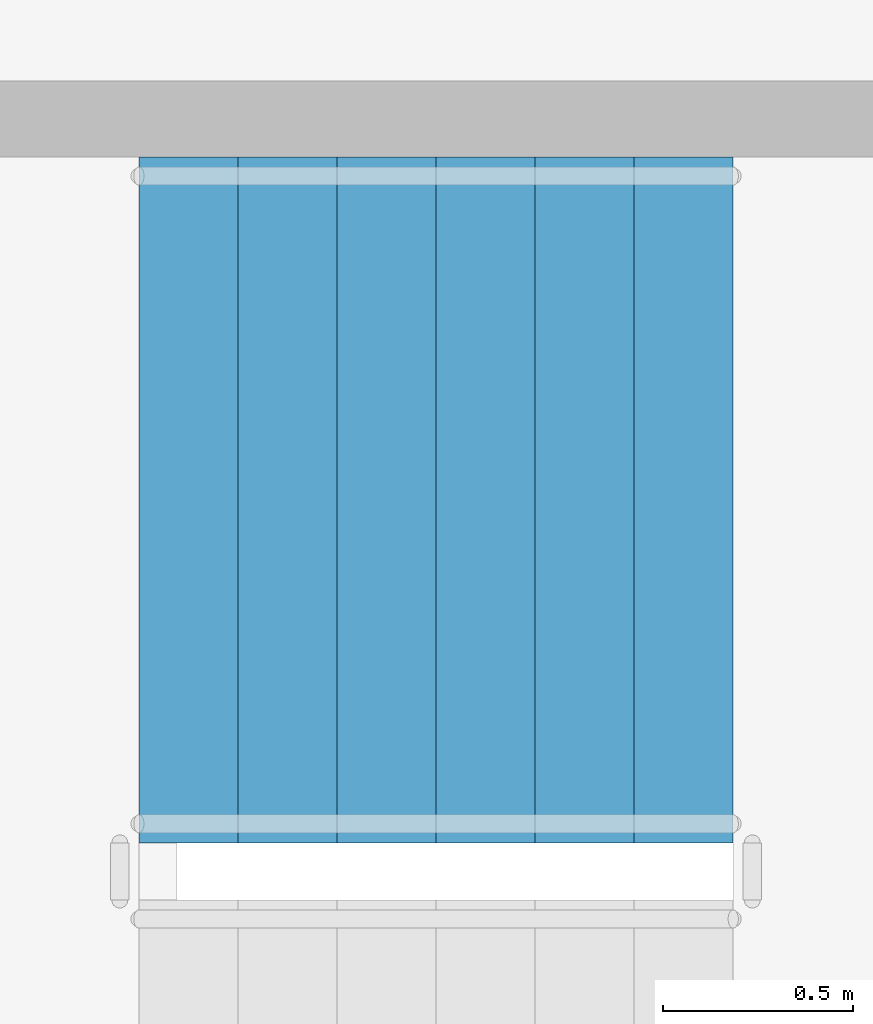
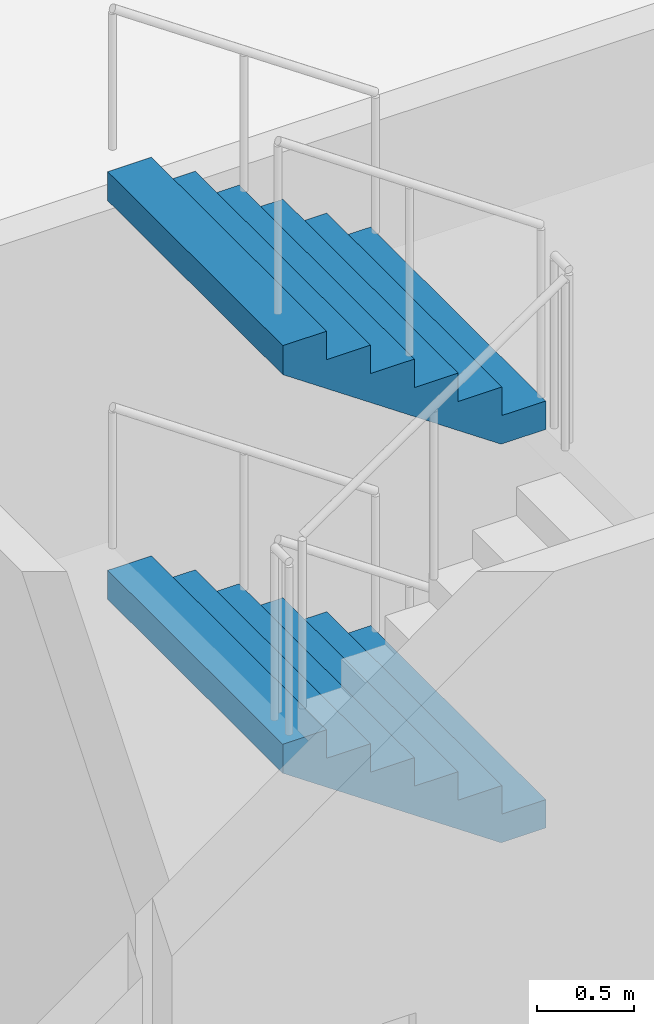
# One storey, part 35 of 59: 2 stair flights, 1 element without a shape of its own.
"""IFC4 building model written with IfcOpenShell, lengths in metres."""

from ifc_helpers import new_model, si_unit, direction, frame, origin, place, context, subcontext, project, spatial, faceted_brep, material, type_object, element, aggregate, save


model = new_model("IFC4")

# Units and contexts
model_context = context("Model", 3, precision=1e-05, world=origin(), true_north=direction((0.0, 1.0)))
body_context = subcontext(model_context, "Body", "Model", "MODEL_VIEW")
ifc_project = project(units=[si_unit("LENGTHUNIT", "METRE"), si_unit("AREAUNIT", "SQUARE_METRE"), si_unit("VOLUMEUNIT", "CUBIC_METRE"), si_unit("PLANEANGLEUNIT", "RADIAN"), si_unit("MASSUNIT", "GRAM", prefix="KILO")], contexts=[model_context])

# Site, building, storey
site_placement = place(None, origin())
site = spatial("IfcSite", under=ifc_project, at=site_placement, CompositionType="ELEMENT")
building_placement = place(site_placement, origin())
building = spatial("IfcBuilding", under=site, at=building_placement, Name="Ipe Terrace Towers", CompositionType="ELEMENT")
storey_placement = place(building_placement, frame((0.0, 0.0, 6.0)))
storey = spatial("IfcBuildingStorey", under=building, at=storey_placement, Name="L01", CompositionType="ELEMENT", Elevation=6.0)

# Stair, stair flights
ifc_material_1 = material(Name="Concrete C30/37", Category="concrete")
stair_type = type_object("IfcStairType", Name="Protected exit stair", PredefinedType="HALF_TURN_STAIR", material=ifc_material_1)
stair_placement = place(storey_placement, origin())
stair = element("IfcStair", 1, at=stair_placement, inside=storey, type_object=stair_type, Name="L01 Podium exit stair PS5", PredefinedType="HALF_TURN_STAIR")
ifc_material_2 = material(Name="Concrete C30/37", Category="concrete")
stair_flight_type = type_object("IfcStairFlightType", Name="Exit stair flight 1800", PredefinedType="STRAIGHT", material=ifc_material_2)
stair_flight_1_placement = place(storey_placement, frame((-2.18994140625, -20.550048828125, 1.25), z_axis=(0.0, 0.0, 1.0), x_axis=(-1.0, 0.0, 0.0)))
stair_flight_1 = element("IfcStairFlight", 2, at=stair_flight_1_placement, type_object=stair_flight_type, Name="PS5 flight 2", NumberOfRisers=7, NumberOfTreads=6, PredefinedType="STRAIGHT", RiserHeight=0.178571429, TreadLength=0.26, context=body_context, shape_type="Brep", body=[
    faceted_brep([(0.264892578125, -0.89990234375, 0.0), (1.56005859375, -0.89990234375, 0.8896484375), (1.56005859375, -0.89990234375, 1.071533203125), (1.300048828125, -0.89990234375, 1.071533203125), (1.300048828125, -0.89990234375, 0.892822265625), (1.0400390625, -0.89990234375, 0.892822265625), (1.0400390625, -0.89990234375, 0.71435546875), (0.780029296875, -0.89990234375, 0.71435546875), (0.780029296875, -0.89990234375, 0.53564453125), (0.52001953125, -0.89990234375, 0.53564453125), (0.52001953125, -0.89990234375, 0.357177734375), (0.260009765625, -0.89990234375, 0.357177734375), (0.260009765625, -0.89990234375, 0.178466796875), (0.0, -0.89990234375, 0.178466796875), (0.0, -0.89990234375, 0.0), (0.0, 0.89990234375, 0.0), (0.0, 0.89990234375, 0.178466796875), (0.260009765625, 0.89990234375, 0.178466796875), (0.260009765625, 0.89990234375, 0.357177734375), (0.52001953125, 0.89990234375, 0.357177734375), (0.52001953125, 0.89990234375, 0.53564453125), (0.780029296875, 0.89990234375, 0.53564453125), (0.780029296875, 0.89990234375, 0.71435546875), (1.0400390625, 0.89990234375, 0.71435546875), (1.0400390625, 0.89990234375, 0.892822265625), (1.300048828125, 0.89990234375, 0.892822265625), (1.300048828125, 0.89990234375, 1.071533203125), (1.56005859375, 0.89990234375, 1.071533203125), (1.56005859375, 0.89990234375, 0.8896484375), (0.264892578125, 0.89990234375, 0.0), (0.0, -0.300048828125, 0.178466796875), (0.0, -0.1201171875, 0.178466796875), (0.0, -0.06005859375, 0.178466796875), (0.0, -0.030029296875, 0.178466796875), (0.0, -0.010009765625, 0.178466796875), (0.0, 0.0, 0.178466796875), (0.0, 0.010009765625, 0.178466796875), (0.0, 0.030029296875, 0.178466796875), (0.0, 0.06005859375, 0.178466796875), (0.0, 0.1201171875, 0.178466796875), (0.0, 0.300048828125, 0.178466796875), (0.0, 0.300048828125, 0.0), (0.0, 0.1201171875, 0.0), (0.0, 0.06005859375, 0.0), (0.0, 0.030029296875, 0.0), (0.0, 0.010009765625, 0.0), (0.0, 0.0, 0.0), (0.0, -0.010009765625, 0.0), (0.0, -0.030029296875, 0.0), (0.0, -0.06005859375, 0.0), (0.0, -0.1201171875, 0.0), (0.0, -0.300048828125, 0.0), (0.260009765625, -0.300048828125, 0.178466796875), (0.260009765625, -0.1201171875, 0.178466796875), (0.260009765625, -0.06005859375, 0.178466796875), (0.260009765625, -0.030029296875, 0.178466796875), (0.260009765625, -0.010009765625, 0.178466796875), (0.260009765625, 0.0, 0.178466796875), (0.260009765625, 0.010009765625, 0.178466796875), (0.260009765625, 0.030029296875, 0.178466796875), (0.260009765625, 0.06005859375, 0.178466796875), (0.260009765625, 0.1201171875, 0.178466796875), (0.260009765625, 0.300048828125, 0.178466796875), (0.260009765625, -0.300048828125, 0.357177734375), (0.260009765625, -0.1201171875, 0.357177734375), (0.260009765625, -0.06005859375, 0.357177734375), (0.260009765625, -0.030029296875, 0.357177734375), (0.260009765625, -0.010009765625, 0.357177734375), (0.260009765625, 0.0, 0.357177734375), (0.260009765625, 0.010009765625, 0.357177734375), (0.260009765625, 0.030029296875, 0.357177734375), (0.260009765625, 0.06005859375, 0.357177734375), (0.260009765625, 0.1201171875, 0.357177734375), (0.260009765625, 0.300048828125, 0.357177734375), (0.52001953125, -0.300048828125, 0.357177734375), (0.52001953125, -0.1201171875, 0.357177734375), (0.52001953125, -0.06005859375, 0.357177734375), (0.52001953125, -0.030029296875, 0.357177734375), (0.52001953125, -0.010009765625, 0.357177734375), (0.52001953125, 0.0, 0.357177734375), (0.52001953125, 0.010009765625, 0.357177734375), (0.52001953125, 0.030029296875, 0.357177734375), (0.52001953125, 0.06005859375, 0.357177734375), (0.52001953125, 0.1201171875, 0.357177734375), (0.52001953125, 0.300048828125, 0.357177734375), (0.52001953125, -0.300048828125, 0.53564453125), (0.52001953125, -0.1201171875, 0.53564453125), (0.52001953125, -0.06005859375, 0.53564453125), (0.52001953125, -0.030029296875, 0.53564453125), (0.52001953125, -0.010009765625, 0.53564453125), (0.52001953125, 0.0, 0.53564453125), (0.52001953125, 0.010009765625, 0.53564453125), (0.52001953125, 0.030029296875, 0.53564453125), (0.52001953125, 0.06005859375, 0.53564453125), (0.52001953125, 0.1201171875, 0.53564453125), (0.52001953125, 0.300048828125, 0.53564453125), (0.780029296875, -0.300048828125, 0.53564453125), (0.780029296875, -0.1201171875, 0.53564453125), (0.780029296875, -0.06005859375, 0.53564453125), (0.780029296875, -0.030029296875, 0.53564453125), (0.780029296875, -0.010009765625, 0.53564453125), (0.780029296875, 0.0, 0.53564453125), (0.780029296875, 0.010009765625, 0.53564453125), (0.780029296875, 0.030029296875, 0.53564453125), (0.780029296875, 0.06005859375, 0.53564453125), (0.780029296875, 0.1201171875, 0.53564453125), (0.780029296875, 0.300048828125, 0.53564453125), (0.780029296875, -0.300048828125, 0.71435546875), (0.780029296875, -0.1201171875, 0.71435546875), (0.780029296875, -0.06005859375, 0.71435546875), (0.780029296875, -0.030029296875, 0.71435546875), (0.780029296875, -0.010009765625, 0.71435546875), (0.780029296875, 0.0, 0.71435546875), (0.780029296875, 0.010009765625, 0.71435546875), (0.780029296875, 0.030029296875, 0.71435546875), (0.780029296875, 0.06005859375, 0.71435546875), (0.780029296875, 0.1201171875, 0.71435546875), (0.780029296875, 0.300048828125, 0.71435546875), (1.0400390625, -0.300048828125, 0.71435546875), (1.0400390625, -0.1201171875, 0.71435546875), (1.0400390625, -0.06005859375, 0.71435546875), (1.0400390625, -0.030029296875, 0.71435546875), (1.0400390625, -0.010009765625, 0.71435546875), (1.0400390625, 0.0, 0.71435546875), (1.0400390625, 0.010009765625, 0.71435546875), (1.0400390625, 0.030029296875, 0.71435546875), (1.0400390625, 0.06005859375, 0.71435546875), (1.0400390625, 0.1201171875, 0.71435546875), (1.0400390625, 0.300048828125, 0.71435546875), (1.0400390625, -0.300048828125, 0.892822265625), (1.0400390625, -0.1201171875, 0.892822265625), (1.0400390625, -0.06005859375, 0.892822265625), (1.0400390625, -0.030029296875, 0.892822265625), (1.0400390625, -0.010009765625, 0.892822265625), (1.0400390625, 0.0, 0.892822265625), (1.0400390625, 0.010009765625, 0.892822265625), (1.0400390625, 0.030029296875, 0.892822265625), (1.0400390625, 0.06005859375, 0.892822265625), (1.0400390625, 0.1201171875, 0.892822265625), (1.0400390625, 0.300048828125, 0.892822265625), (1.300048828125, -0.300048828125, 0.892822265625), (1.300048828125, -0.1201171875, 0.892822265625), (1.300048828125, -0.06005859375, 0.892822265625), (1.300048828125, -0.030029296875, 0.892822265625), (1.300048828125, -0.010009765625, 0.892822265625), (1.300048828125, 0.0, 0.892822265625), (1.300048828125, 0.010009765625, 0.892822265625), (1.300048828125, 0.030029296875, 0.892822265625), (1.300048828125, 0.06005859375, 0.892822265625), (1.300048828125, 0.1201171875, 0.892822265625), (1.300048828125, 0.300048828125, 0.892822265625), (1.300048828125, -0.300048828125, 1.071533203125), (1.300048828125, -0.1201171875, 1.071533203125), (1.300048828125, -0.06005859375, 1.071533203125), (1.300048828125, -0.030029296875, 1.071533203125), (1.300048828125, -0.010009765625, 1.071533203125), (1.300048828125, 0.0, 1.071533203125), (1.300048828125, 0.010009765625, 1.071533203125), (1.300048828125, 0.030029296875, 1.071533203125), (1.300048828125, 0.06005859375, 1.071533203125), (1.300048828125, 0.1201171875, 1.071533203125), (1.300048828125, 0.300048828125, 1.071533203125), (1.56005859375, -0.300048828125, 1.071533203125), (1.56005859375, -0.1201171875, 1.071533203125), (1.56005859375, -0.06005859375, 1.071533203125), (1.56005859375, -0.030029296875, 1.071533203125), (1.56005859375, -0.010009765625, 1.071533203125), (1.56005859375, 0.0, 1.071533203125), (1.56005859375, 0.010009765625, 1.071533203125), (1.56005859375, 0.030029296875, 1.071533203125), (1.56005859375, 0.06005859375, 1.071533203125), (1.56005859375, 0.1201171875, 1.071533203125), (1.56005859375, 0.300048828125, 1.071533203125), (1.56005859375, -0.300048828125, 0.8896484375), (1.56005859375, -0.1201171875, 0.8896484375), (1.56005859375, -0.06005859375, 0.8896484375), (1.56005859375, -0.030029296875, 0.8896484375), (1.56005859375, -0.010009765625, 0.8896484375), (1.56005859375, 0.0, 0.8896484375), (1.56005859375, 0.010009765625, 0.8896484375), (1.56005859375, 0.030029296875, 0.8896484375), (1.56005859375, 0.06005859375, 0.8896484375), (1.56005859375, 0.1201171875, 0.8896484375), (1.56005859375, 0.300048828125, 0.8896484375), (0.264892578125, -0.300048828125, 0.0), (0.264892578125, -0.1201171875, 0.0), (0.264892578125, -0.06005859375, 0.0), (0.264892578125, -0.030029296875, 0.0), (0.264892578125, -0.010009765625, 0.0), (0.264892578125, 0.0, 0.0), (0.264892578125, 0.010009765625, 0.0), (0.264892578125, 0.030029296875, 0.0), (0.264892578125, 0.06005859375, 0.0), (0.264892578125, 0.1201171875, 0.0), (0.264892578125, 0.300048828125, 0.0)], [[[0, 1, 2, 3, 4, 5, 6, 7, 8, 9, 10, 11, 12, 13, 14]], [[15, 16, 17, 18, 19, 20, 21, 22, 23, 24, 25, 26, 27, 28, 29]], [[13, 30, 31, 32, 33, 34, 35, 36, 37, 38, 39, 40, 16, 15, 41, 42, 43, 44, 45, 46, 47, 48, 49, 50, 51, 14]], [[12, 52, 53, 54, 55, 56, 57, 58, 59, 60, 61, 62, 17, 16, 40, 39, 38, 37, 36, 35, 34, 33, 32, 31, 30, 13]], [[11, 63, 64, 65, 66, 67, 68, 69, 70, 71, 72, 73, 18, 17, 62, 61, 60, 59, 58, 57, 56, 55, 54, 53, 52, 12]], [[10, 74, 75, 76, 77, 78, 79, 80, 81, 82, 83, 84, 19, 18, 73, 72, 71, 70, 69, 68, 67, 66, 65, 64, 63, 11]], [[9, 85, 86, 87, 88, 89, 90, 91, 92, 93, 94, 95, 20, 19, 84, 83, 82, 81, 80, 79, 78, 77, 76, 75, 74, 10]], [[8, 96, 97, 98, 99, 100, 101, 102, 103, 104, 105, 106, 21, 20, 95, 94, 93, 92, 91, 90, 89, 88, 87, 86, 85, 9]], [[7, 107, 108, 109, 110, 111, 112, 113, 114, 115, 116, 117, 22, 21, 106, 105, 104, 103, 102, 101, 100, 99, 98, 97, 96, 8]], [[6, 118, 119, 120, 121, 122, 123, 124, 125, 126, 127, 128, 23, 22, 117, 116, 115, 114, 113, 112, 111, 110, 109, 108, 107, 7]], [[5, 129, 130, 131, 132, 133, 134, 135, 136, 137, 138, 139, 24, 23, 128, 127, 126, 125, 124, 123, 122, 121, 120, 119, 118, 6]], [[4, 140, 141, 142, 143, 144, 145, 146, 147, 148, 149, 150, 25, 24, 139, 138, 137, 136, 135, 134, 133, 132, 131, 130, 129, 5]], [[3, 151, 152, 153, 154, 155, 156, 157, 158, 159, 160, 161, 26, 25, 150, 149, 148, 147, 146, 145, 144, 143, 142, 141, 140, 4]], [[2, 162, 163, 164, 165, 166, 167, 168, 169, 170, 171, 172, 27, 26, 161, 160, 159, 158, 157, 156, 155, 154, 153, 152, 151, 3]], [[1, 173, 174, 175, 176, 177, 178, 179, 180, 181, 182, 183, 28, 27, 172, 171, 170, 169, 168, 167, 166, 165, 164, 163, 162, 2]], [[0, 184, 185, 186, 187, 188, 189, 190, 191, 192, 193, 194, 29, 28, 183, 182, 181, 180, 179, 178, 177, 176, 175, 174, 173, 1]], [[14, 51, 50, 49, 48, 47, 46, 45, 44, 43, 42, 41, 15, 29, 194, 193, 192, 191, 190, 189, 188, 187, 186, 185, 184, 0]]]),
])
stair_flight_2_placement = place(storey_placement, frame((-2.18994140625, -20.550048828125, 3.75), z_axis=(0.0, 0.0, 1.0), x_axis=(-1.0, 0.0, 0.0)))
stair_flight_2 = element("IfcStairFlight", 3, at=stair_flight_2_placement, type_object=stair_flight_type, Name="PS5 flight 4", NumberOfRisers=7, NumberOfTreads=6, PredefinedType="STRAIGHT", RiserHeight=0.178571429, TreadLength=0.26, context=body_context, shape_type="Brep", body=[
    faceted_brep([(0.264892578125, -0.89990234375, 0.0), (1.56005859375, -0.89990234375, 0.8896484375), (1.56005859375, -0.89990234375, 1.071533203125), (1.300048828125, -0.89990234375, 1.071533203125), (1.300048828125, -0.89990234375, 0.892822265625), (1.0400390625, -0.89990234375, 0.892822265625), (1.0400390625, -0.89990234375, 0.71435546875), (0.780029296875, -0.89990234375, 0.71435546875), (0.780029296875, -0.89990234375, 0.53564453125), (0.52001953125, -0.89990234375, 0.53564453125), (0.52001953125, -0.89990234375, 0.357177734375), (0.260009765625, -0.89990234375, 0.357177734375), (0.260009765625, -0.89990234375, 0.178466796875), (0.0, -0.89990234375, 0.178466796875), (0.0, -0.89990234375, 0.0), (0.0, 0.89990234375, 0.0), (0.0, 0.89990234375, 0.178466796875), (0.260009765625, 0.89990234375, 0.178466796875), (0.260009765625, 0.89990234375, 0.357177734375), (0.52001953125, 0.89990234375, 0.357177734375), (0.52001953125, 0.89990234375, 0.53564453125), (0.780029296875, 0.89990234375, 0.53564453125), (0.780029296875, 0.89990234375, 0.71435546875), (1.0400390625, 0.89990234375, 0.71435546875), (1.0400390625, 0.89990234375, 0.892822265625), (1.300048828125, 0.89990234375, 0.892822265625), (1.300048828125, 0.89990234375, 1.071533203125), (1.56005859375, 0.89990234375, 1.071533203125), (1.56005859375, 0.89990234375, 0.8896484375), (0.264892578125, 0.89990234375, 0.0), (0.0, -0.300048828125, 0.178466796875), (0.0, -0.1201171875, 0.178466796875), (0.0, -0.06005859375, 0.178466796875), (0.0, -0.030029296875, 0.178466796875), (0.0, -0.010009765625, 0.178466796875), (0.0, 0.0, 0.178466796875), (0.0, 0.010009765625, 0.178466796875), (0.0, 0.030029296875, 0.178466796875), (0.0, 0.06005859375, 0.178466796875), (0.0, 0.1201171875, 0.178466796875), (0.0, 0.300048828125, 0.178466796875), (0.0, 0.300048828125, 0.0), (0.0, 0.1201171875, 0.0), (0.0, 0.06005859375, 0.0), (0.0, 0.030029296875, 0.0), (0.0, 0.010009765625, 0.0), (0.0, 0.0, 0.0), (0.0, -0.010009765625, 0.0), (0.0, -0.030029296875, 0.0), (0.0, -0.06005859375, 0.0), (0.0, -0.1201171875, 0.0), (0.0, -0.300048828125, 0.0), (0.260009765625, -0.300048828125, 0.178466796875), (0.260009765625, -0.1201171875, 0.178466796875), (0.260009765625, -0.06005859375, 0.178466796875), (0.260009765625, -0.030029296875, 0.178466796875), (0.260009765625, -0.010009765625, 0.178466796875), (0.260009765625, 0.0, 0.178466796875), (0.260009765625, 0.010009765625, 0.178466796875), (0.260009765625, 0.030029296875, 0.178466796875), (0.260009765625, 0.06005859375, 0.178466796875), (0.260009765625, 0.1201171875, 0.178466796875), (0.260009765625, 0.300048828125, 0.178466796875), (0.260009765625, -0.300048828125, 0.357177734375), (0.260009765625, -0.1201171875, 0.357177734375), (0.260009765625, -0.06005859375, 0.357177734375), (0.260009765625, -0.030029296875, 0.357177734375), (0.260009765625, -0.010009765625, 0.357177734375), (0.260009765625, 0.0, 0.357177734375), (0.260009765625, 0.010009765625, 0.357177734375), (0.260009765625, 0.030029296875, 0.357177734375), (0.260009765625, 0.06005859375, 0.357177734375), (0.260009765625, 0.1201171875, 0.357177734375), (0.260009765625, 0.300048828125, 0.357177734375), (0.52001953125, -0.300048828125, 0.357177734375), (0.52001953125, -0.1201171875, 0.357177734375), (0.52001953125, -0.06005859375, 0.357177734375), (0.52001953125, -0.030029296875, 0.357177734375), (0.52001953125, -0.010009765625, 0.357177734375), (0.52001953125, 0.0, 0.357177734375), (0.52001953125, 0.010009765625, 0.357177734375), (0.52001953125, 0.030029296875, 0.357177734375), (0.52001953125, 0.06005859375, 0.357177734375), (0.52001953125, 0.1201171875, 0.357177734375), (0.52001953125, 0.300048828125, 0.357177734375), (0.52001953125, -0.300048828125, 0.53564453125), (0.52001953125, -0.1201171875, 0.53564453125), (0.52001953125, -0.06005859375, 0.53564453125), (0.52001953125, -0.030029296875, 0.53564453125), (0.52001953125, -0.010009765625, 0.53564453125), (0.52001953125, 0.0, 0.53564453125), (0.52001953125, 0.010009765625, 0.53564453125), (0.52001953125, 0.030029296875, 0.53564453125), (0.52001953125, 0.06005859375, 0.53564453125), (0.52001953125, 0.1201171875, 0.53564453125), (0.52001953125, 0.300048828125, 0.53564453125), (0.780029296875, -0.300048828125, 0.53564453125), (0.780029296875, -0.1201171875, 0.53564453125), (0.780029296875, -0.06005859375, 0.53564453125), (0.780029296875, -0.030029296875, 0.53564453125), (0.780029296875, -0.010009765625, 0.53564453125), (0.780029296875, 0.0, 0.53564453125), (0.780029296875, 0.010009765625, 0.53564453125), (0.780029296875, 0.030029296875, 0.53564453125), (0.780029296875, 0.06005859375, 0.53564453125), (0.780029296875, 0.1201171875, 0.53564453125), (0.780029296875, 0.300048828125, 0.53564453125), (0.780029296875, -0.300048828125, 0.71435546875), (0.780029296875, -0.1201171875, 0.71435546875), (0.780029296875, -0.06005859375, 0.71435546875), (0.780029296875, -0.030029296875, 0.71435546875), (0.780029296875, -0.010009765625, 0.71435546875), (0.780029296875, 0.0, 0.71435546875), (0.780029296875, 0.010009765625, 0.71435546875), (0.780029296875, 0.030029296875, 0.71435546875), (0.780029296875, 0.06005859375, 0.71435546875), (0.780029296875, 0.1201171875, 0.71435546875), (0.780029296875, 0.300048828125, 0.71435546875), (1.0400390625, -0.300048828125, 0.71435546875), (1.0400390625, -0.1201171875, 0.71435546875), (1.0400390625, -0.06005859375, 0.71435546875), (1.0400390625, -0.030029296875, 0.71435546875), (1.0400390625, -0.010009765625, 0.71435546875), (1.0400390625, 0.0, 0.71435546875), (1.0400390625, 0.010009765625, 0.71435546875), (1.0400390625, 0.030029296875, 0.71435546875), (1.0400390625, 0.06005859375, 0.71435546875), (1.0400390625, 0.1201171875, 0.71435546875), (1.0400390625, 0.300048828125, 0.71435546875), (1.0400390625, -0.300048828125, 0.892822265625), (1.0400390625, -0.1201171875, 0.892822265625), (1.0400390625, -0.06005859375, 0.892822265625), (1.0400390625, -0.030029296875, 0.892822265625), (1.0400390625, -0.010009765625, 0.892822265625), (1.0400390625, 0.0, 0.892822265625), (1.0400390625, 0.010009765625, 0.892822265625), (1.0400390625, 0.030029296875, 0.892822265625), (1.0400390625, 0.06005859375, 0.892822265625), (1.0400390625, 0.1201171875, 0.892822265625), (1.0400390625, 0.300048828125, 0.892822265625), (1.300048828125, -0.300048828125, 0.892822265625), (1.300048828125, -0.1201171875, 0.892822265625), (1.300048828125, -0.06005859375, 0.892822265625), (1.300048828125, -0.030029296875, 0.892822265625), (1.300048828125, -0.010009765625, 0.892822265625), (1.300048828125, 0.0, 0.892822265625), (1.300048828125, 0.010009765625, 0.892822265625), (1.300048828125, 0.030029296875, 0.892822265625), (1.300048828125, 0.06005859375, 0.892822265625), (1.300048828125, 0.1201171875, 0.892822265625), (1.300048828125, 0.300048828125, 0.892822265625), (1.300048828125, -0.300048828125, 1.071533203125), (1.300048828125, -0.1201171875, 1.071533203125), (1.300048828125, -0.06005859375, 1.071533203125), (1.300048828125, -0.030029296875, 1.071533203125), (1.300048828125, -0.010009765625, 1.071533203125), (1.300048828125, 0.0, 1.071533203125), (1.300048828125, 0.010009765625, 1.071533203125), (1.300048828125, 0.030029296875, 1.071533203125), (1.300048828125, 0.06005859375, 1.071533203125), (1.300048828125, 0.1201171875, 1.071533203125), (1.300048828125, 0.300048828125, 1.071533203125), (1.56005859375, -0.300048828125, 1.071533203125), (1.56005859375, -0.1201171875, 1.071533203125), (1.56005859375, -0.06005859375, 1.071533203125), (1.56005859375, -0.030029296875, 1.071533203125), (1.56005859375, -0.010009765625, 1.071533203125), (1.56005859375, 0.0, 1.071533203125), (1.56005859375, 0.010009765625, 1.071533203125), (1.56005859375, 0.030029296875, 1.071533203125), (1.56005859375, 0.06005859375, 1.071533203125), (1.56005859375, 0.1201171875, 1.071533203125), (1.56005859375, 0.300048828125, 1.071533203125), (1.56005859375, -0.300048828125, 0.8896484375), (1.56005859375, -0.1201171875, 0.8896484375), (1.56005859375, -0.06005859375, 0.8896484375), (1.56005859375, -0.030029296875, 0.8896484375), (1.56005859375, -0.010009765625, 0.8896484375), (1.56005859375, 0.0, 0.8896484375), (1.56005859375, 0.010009765625, 0.8896484375), (1.56005859375, 0.030029296875, 0.8896484375), (1.56005859375, 0.06005859375, 0.8896484375), (1.56005859375, 0.1201171875, 0.8896484375), (1.56005859375, 0.300048828125, 0.8896484375), (0.264892578125, -0.300048828125, 0.0), (0.264892578125, -0.1201171875, 0.0), (0.264892578125, -0.06005859375, 0.0), (0.264892578125, -0.030029296875, 0.0), (0.264892578125, -0.010009765625, 0.0), (0.264892578125, 0.0, 0.0), (0.264892578125, 0.010009765625, 0.0), (0.264892578125, 0.030029296875, 0.0), (0.264892578125, 0.06005859375, 0.0), (0.264892578125, 0.1201171875, 0.0), (0.264892578125, 0.300048828125, 0.0)], [[[0, 1, 2, 3, 4, 5, 6, 7, 8, 9, 10, 11, 12, 13, 14]], [[15, 16, 17, 18, 19, 20, 21, 22, 23, 24, 25, 26, 27, 28, 29]], [[13, 30, 31, 32, 33, 34, 35, 36, 37, 38, 39, 40, 16, 15, 41, 42, 43, 44, 45, 46, 47, 48, 49, 50, 51, 14]], [[12, 52, 53, 54, 55, 56, 57, 58, 59, 60, 61, 62, 17, 16, 40, 39, 38, 37, 36, 35, 34, 33, 32, 31, 30, 13]], [[11, 63, 64, 65, 66, 67, 68, 69, 70, 71, 72, 73, 18, 17, 62, 61, 60, 59, 58, 57, 56, 55, 54, 53, 52, 12]], [[10, 74, 75, 76, 77, 78, 79, 80, 81, 82, 83, 84, 19, 18, 73, 72, 71, 70, 69, 68, 67, 66, 65, 64, 63, 11]], [[9, 85, 86, 87, 88, 89, 90, 91, 92, 93, 94, 95, 20, 19, 84, 83, 82, 81, 80, 79, 78, 77, 76, 75, 74, 10]], [[8, 96, 97, 98, 99, 100, 101, 102, 103, 104, 105, 106, 21, 20, 95, 94, 93, 92, 91, 90, 89, 88, 87, 86, 85, 9]], [[7, 107, 108, 109, 110, 111, 112, 113, 114, 115, 116, 117, 22, 21, 106, 105, 104, 103, 102, 101, 100, 99, 98, 97, 96, 8]], [[6, 118, 119, 120, 121, 122, 123, 124, 125, 126, 127, 128, 23, 22, 117, 116, 115, 114, 113, 112, 111, 110, 109, 108, 107, 7]], [[5, 129, 130, 131, 132, 133, 134, 135, 136, 137, 138, 139, 24, 23, 128, 127, 126, 125, 124, 123, 122, 121, 120, 119, 118, 6]], [[4, 140, 141, 142, 143, 144, 145, 146, 147, 148, 149, 150, 25, 24, 139, 138, 137, 136, 135, 134, 133, 132, 131, 130, 129, 5]], [[3, 151, 152, 153, 154, 155, 156, 157, 158, 159, 160, 161, 26, 25, 150, 149, 148, 147, 146, 145, 144, 143, 142, 141, 140, 4]], [[2, 162, 163, 164, 165, 166, 167, 168, 169, 170, 171, 172, 27, 26, 161, 160, 159, 158, 157, 156, 155, 154, 153, 152, 151, 3]], [[1, 173, 174, 175, 176, 177, 178, 179, 180, 181, 182, 183, 28, 27, 172, 171, 170, 169, 168, 167, 166, 165, 164, 163, 162, 2]], [[0, 184, 185, 186, 187, 188, 189, 190, 191, 192, 193, 194, 29, 28, 183, 182, 181, 180, 179, 178, 177, 176, 175, 174, 173, 1]], [[14, 51, 50, 49, 48, 47, 46, 45, 44, 43, 42, 41, 15, 29, 194, 193, 192, 191, 190, 189, 188, 187, 186, 185, 184, 0]]]),
])
aggregate(stair, [stair_flight_1, stair_flight_2])

save(model, "model.ifc")
